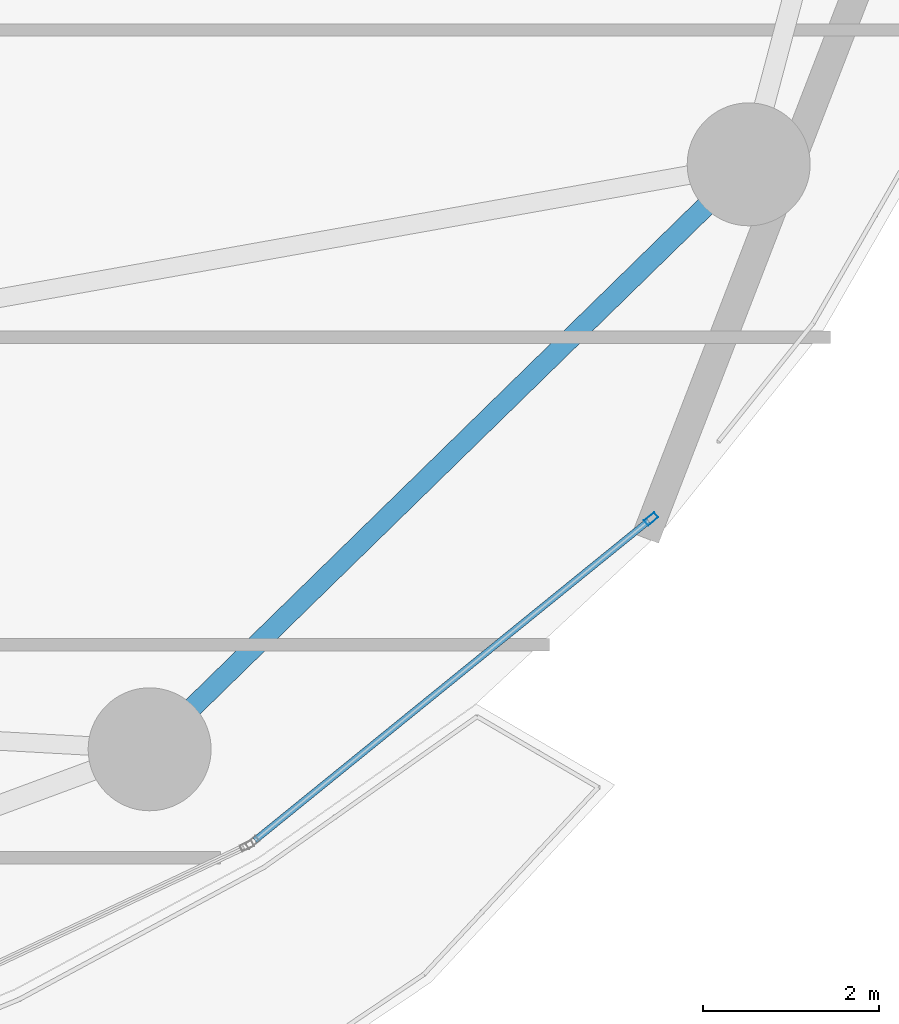
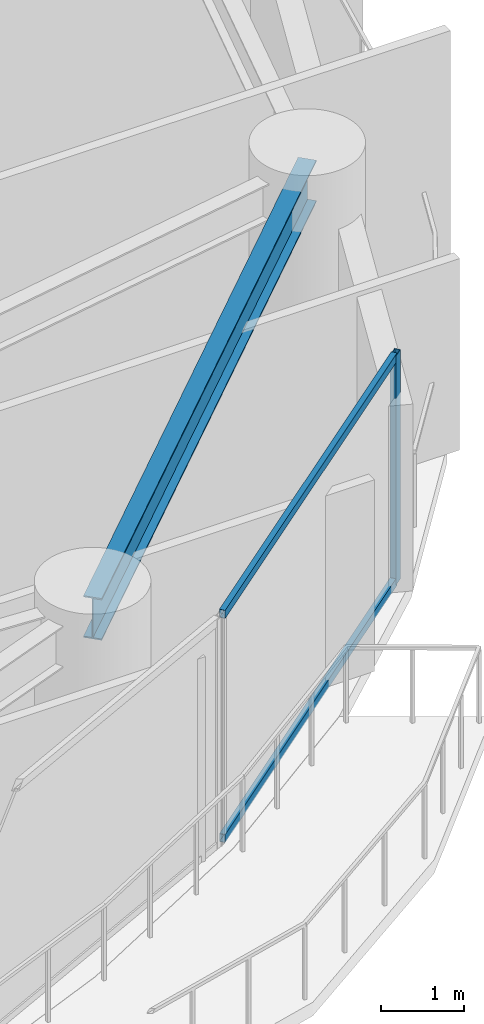
# One storey, part 15 of 32: 3 members, 1 beam, 1 element without a shape of its own.
"""IFC4 building model written with IfcOpenShell, lengths in metres."""

import ifcopenshell
import ifcopenshell.guid

model = None  # the IFC model being written
_history = None  # IfcOwnerHistory: only IFC2X3 demands one
_inside = {}  # id of a spatial element -> (the spatial element, [elements in it])
_under = {}  # id of a project, library or spatial element -> (it, [spatial elements below it])
_declared = {}  # id of a project -> (the project, [libraries it declares])
_typed = {}  # id of a type object -> (the type object, [elements of that type])
_made_of = {}  # id of a material, layer set ... -> (it, [elements and type objects made of it])


def new_model(schema):
    """Start an empty IFC model of exactly this schema.

    Asked for "IFC4X3", IfcOpenShell would pick the latest addendum, in which some entities
    have other attributes; the version numbers below select the first issue.
    IFC2X3 requires an IfcOwnerHistory on every rooted entity: one is made here for all.
    """
    global model, _history
    if schema == "IFC4X3":
        model = ifcopenshell.file(schema_version=(4, 3, 0, 0))
    else:
        model = ifcopenshell.file(schema=schema)
    _inside.clear()
    _under.clear()
    _declared.clear()
    _typed.clear()
    _made_of.clear()
    _history = None
    if model.schema == "IFC2X3":
        org = make("IfcOrganization", Name="unknown")
        user = make(
            "IfcPersonAndOrganization",
            ThePerson=make("IfcPerson", FamilyName="unknown"),
            TheOrganization=org,
        )
        app = make(
            "IfcApplication",
            ApplicationDeveloper=org,
            Version="unknown",
            ApplicationFullName="unknown",
            ApplicationIdentifier="unknown",
        )
        _history = make(
            "IfcOwnerHistory",
            OwningUser=user,
            OwningApplication=app,
            ChangeAction="ADDED",
            CreationDate=0,
        )
    return model


def make(cls, **values):
    """One entity of the class cls with the attributes given. An attribute that is None is left unset."""
    return model.create_entity(
        cls, **{name: value for name, value in values.items() if value is not None}
    )


def rooted(cls, **values):
    """An entity with a GlobalId (a new one), such as an element, a storey or a relation."""
    return make(cls, GlobalId=ifcopenshell.guid.new(), OwnerHistory=_history, **values)


def si_unit(unit_type, name, prefix=None):
    """IfcSIUnit, for example si_unit("LENGTHUNIT", "METRE", prefix="MILLI")."""
    return make("IfcSIUnit", UnitType=unit_type, Prefix=prefix, Name=name)


def assignment(units):
    """IfcUnitAssignment: the units of a project."""
    return None if units is None else make("IfcUnitAssignment", Units=units)


def point(xyz):
    """IfcCartesianPoint."""
    return None if xyz is None else make("IfcCartesianPoint", Coordinates=xyz)


def direction(xyz):
    """IfcDirection."""
    return None if xyz is None else make("IfcDirection", DirectionRatios=xyz)


def frame(location, z_axis=None, x_axis=None):
    """IfcAxis2Placement3D, a coordinate frame: its origin and axes. An axis left out is left unset."""
    return make(
        "IfcAxis2Placement3D",
        Location=point(location),
        Axis=direction(z_axis),
        RefDirection=direction(x_axis),
    )


def frame_2d(location, x_axis=None):
    """IfcAxis2Placement2D, a coordinate frame in the plane: its origin and x axis."""
    return make(
        "IfcAxis2Placement2D", Location=point(location), RefDirection=direction(x_axis)
    )


def origin():
    """The frame at (0, 0, 0) with its axes left unset."""
    return frame((0.0, 0.0, 0.0))


def origin_2d():
    """The frame at (0, 0) in the plane with its x axis left unset."""
    return frame_2d((0.0, 0.0))


def place(relative_to, where):
    """IfcLocalPlacement: puts the frame where relative to a parent placement (None: the world)."""
    return make(
        "IfcLocalPlacement", PlacementRelTo=relative_to, RelativePlacement=where
    )


def context(
    kind, dimensions, precision=None, world=None, true_north=None, identifier=None
):
    """IfcGeometricRepresentationContext, for example the 3D "Model" context."""
    return make(
        "IfcGeometricRepresentationContext",
        ContextIdentifier=identifier,
        ContextType=kind,
        CoordinateSpaceDimension=dimensions,
        Precision=precision,
        WorldCoordinateSystem=world,
        TrueNorth=true_north,
    )


def subcontext(parent, identifier, kind, view, scale=None):
    """IfcGeometricRepresentationSubContext, for example "Body" below "Model"."""
    return make(
        "IfcGeometricRepresentationSubContext",
        ContextIdentifier=identifier,
        ContextType=kind,
        ParentContext=parent,
        TargetScale=scale,
        TargetView=view,
    )


def project(units=None, contexts=None):
    """IfcProject with its units and contexts."""
    return rooted(
        "IfcProject",
        Name="project",
        RepresentationContexts=contexts,
        UnitsInContext=assignment(units),
    )


def spatial(cls, under=None, at=None, **own):
    """A site, building, storey or space (cls), placed at a placement, below another one or the project."""
    s = rooted(cls, ObjectPlacement=at, **own)
    if under is not None:
        _under.setdefault(under.id(), (under, []))[1].append(s)
    return s


def profile(cls, at=None, kind="AREA", **sizes):
    """A parametric profile (cls). Its sizes go by their IFC names, for example OverallWidth=200.0."""
    return make(cls, ProfileType=kind, Position=at, **sizes)


def hollow_rectangle(**sizes):
    """IfcRectangleHollowProfileDef."""
    return profile("IfcRectangleHollowProfileDef", **sizes)


def i_section(**sizes):
    """IfcIShapeProfileDef."""
    return profile("IfcIShapeProfileDef", **sizes)


def extrude(swept, where, along, depth):
    """IfcExtrudedAreaSolid: the profile swept, set in the frame where, extruded along a direction by depth."""
    return make(
        "IfcExtrudedAreaSolid",
        SweptArea=swept,
        Position=where,
        ExtrudedDirection=direction(along),
        Depth=depth,
    )


def shape(context_of_items, identifier, shape_type, items):
    """IfcShapeRepresentation: the items that make up one representation, for example the "Body"."""
    return make(
        "IfcShapeRepresentation",
        ContextOfItems=context_of_items,
        RepresentationIdentifier=identifier,
        RepresentationType=shape_type,
        Items=items,
    )


def material(Name=None, Category=None):
    """IfcMaterial."""
    return make("IfcMaterial", Name=Name, Category=Category)


def layer(
    of_material, thickness, ventilated=None, Name=None, Category=None, Priority=None
):
    """IfcMaterialLayer: one layer of a wall or slab, of a material (None: an air gap)."""
    return make(
        "IfcMaterialLayer",
        Material=of_material,
        LayerThickness=thickness,
        IsVentilated=ventilated,
        Name=Name,
        Category=Category,
        Priority=Priority,
    )


def layer_set(layers, Name=None):
    """IfcMaterialLayerSet."""
    return make("IfcMaterialLayerSet", MaterialLayers=layers, LayerSetName=Name)


def material_profile(
    of_material, cross_section, Name=None, Category=None, Priority=None
):
    """IfcMaterialProfile: a cross section and its material."""
    return make(
        "IfcMaterialProfile",
        Name=Name,
        Material=of_material,
        Profile=cross_section,
        Priority=Priority,
        Category=Category,
    )


def profile_set(profiles, Name=None, composite=None):
    """IfcMaterialProfileSet."""
    return make(
        "IfcMaterialProfileSet",
        Name=Name,
        MaterialProfiles=profiles,
        CompositeProfile=composite,
    )


def made_of(thing, what):
    """Note that an element or type object is made of a material, layer set ...; save() writes the relation."""
    if what is not None:
        _made_of.setdefault(what.id(), (what, []))[1].append(thing)
    return thing


def type_object(cls, material=None, **own):
    """A type object (cls), such as IfcWallType, which elements share."""
    return made_of(rooted(cls, **own), material)


def element(
    cls,
    number,
    at=None,
    inside=None,
    cuts=None,
    type_object=None,
    material=None,
    context=None,
    identifier="Body",
    shape_type=None,
    held_by="IfcProductDefinitionShape",
    body=None,
    shapes=None,
    **own,
):
    """One element of the class cls, such as IfcWall. Its Tag is "e" and its number.

    at: its placement. inside: the storey or other place that contains it. cuts: it is an
    opening in that element (IfcRelVoidsElement). A single representation is given by context,
    identifier, shape_type and body (its items); several are given by shapes. held_by: the class
    of the entity that holds the representations. save() writes the other relations.
    """
    e = rooted(cls, Tag="e%d" % number, ObjectPlacement=at, **own)
    if body is not None:
        shapes = [shape(context, identifier, shape_type, body)]
    if shapes is not None:
        e.Representation = make(held_by, Representations=shapes)
    if inside is not None:
        _inside.setdefault(inside.id(), (inside, []))[1].append(e)
    if cuts is not None:
        rooted(
            "IfcRelVoidsElement", RelatingBuildingElement=cuts, RelatedOpeningElement=e
        )
    if type_object is not None:
        _typed.setdefault(type_object.id(), (type_object, []))[1].append(e)
    return made_of(e, material)


def aggregate(whole, parts):
    """IfcRelAggregates: a whole, such as a stair, and the parts it consists of."""
    return rooted("IfcRelAggregates", RelatingObject=whole, RelatedObjects=parts)


def save(model, path):
    """Write the relations noted so far, then the file.

    IfcRelAggregates (storeys below a building ...), IfcRelContainedInSpatialStructure (elements
    in a storey), IfcRelDefinesByType, IfcRelAssociatesMaterial and IfcRelDeclares: one each for
    every whole, place, type object, material and project.
    """
    for whole, parts in _under.values():
        aggregate(whole, parts)
    for where, things in _inside.values():
        rooted(
            "IfcRelContainedInSpatialStructure",
            RelatedElements=things,
            RelatingStructure=where,
        )
    for kind, things in _typed.values():
        rooted("IfcRelDefinesByType", RelatedObjects=things, RelatingType=kind)
    for what, things in _made_of.values():
        rooted("IfcRelAssociatesMaterial", RelatedObjects=things, RelatingMaterial=what)
    for by, libraries in _declared.values():
        rooted("IfcRelDeclares", RelatingContext=by, RelatedDefinitions=libraries)
    model.write(path)


model = new_model("IFC4")

# Units and contexts
model_context = context("Model", 3, precision=1e-05, world=origin(), true_north=direction((0.0, 1.0)))
body_context = subcontext(model_context, "Body", "Model", "MODEL_VIEW")
ifc_project = project(units=[si_unit("LENGTHUNIT", "METRE"), si_unit("AREAUNIT", "SQUARE_METRE"), si_unit("VOLUMEUNIT", "CUBIC_METRE"), si_unit("PLANEANGLEUNIT", "RADIAN"), si_unit("MASSUNIT", "GRAM", prefix="KILO")], contexts=[model_context])

# Site, building, storey
site_placement = place(None, origin())
site = spatial("IfcSite", under=ifc_project, at=site_placement, CompositionType="ELEMENT")
building_placement = place(site_placement, origin())
building = spatial("IfcBuilding", under=site, at=building_placement, Name="Kazevale Care Tower and Concert Hall", CompositionType="ELEMENT")
storey_placement = place(building_placement, frame((0.0, 0.0, 85.199951171875)))
storey = spatial("IfcBuildingStorey", under=building, at=storey_placement, Name="L22", CompositionType="ELEMENT", Elevation=85.199951171875)

# Curtain wall, members
ifc_material_1 = material(Name="Aluminium 6063-T6 and Low-E Glass", Category="aluminium")
ifc_layer = layer(ifc_material_1, 0.179931640625)
ifc_layer_set = layer_set([ifc_layer], Name="Aluminium 6063-T6 and Low-E Glass")
curtain_wall_type = type_object("IfcCurtainWallType", Name="Sheltered Concave Balcony Curtain Wall CW-5", PredefinedType="NOTDEFINED", material=ifc_layer_set)
curtain_wall_placement = place(storey_placement, origin())
curtain_wall = element("IfcCurtainWall", 1, at=curtain_wall_placement, inside=storey, type_object=curtain_wall_type, Name="cw:L22:f02", PredefinedType="NOTDEFINED")
ifc_material_2 = material(Name="Aluminium 6063-T6", Category="aluminium")
ifc_material_profile_1 = material_profile(ifc_material_2, hollow_rectangle(XDim=0.074951171875, YDim=0.14990234375, WallThickness=0.00390625, at=origin_2d()), Name="ALU75x150x4")
ifc_profile_set_1 = profile_set([ifc_material_profile_1], Name="Aluminium 6063-T6")
member_type_1 = type_object("IfcMemberType", Name="CW-5 Mullion ALU75x150x4", PredefinedType="MULLION", material=ifc_profile_set_1)
member_1_placement = place(storey_placement, frame((72.949951171875, 24.933349609375, 0.0), z_axis=(0.0, 0.0, 1.0), x_axis=(0.629994732952, -0.77659940539, 0.0)))
member_1 = element("IfcMember", 2, at=member_1_placement, type_object=member_type_1, Name="CW-5 mullion 1", PredefinedType="MULLION", context=body_context, shape_type="SweptSolid", body=[
    extrude(hollow_rectangle(XDim=0.074951171875, YDim=0.14990234375, WallThickness=0.00390625, at=origin_2d()), origin(), (0.0, 0.0, 1.0), 3.360107421875),
])
ifc_material_profile_2 = material_profile(ifc_material_2, hollow_rectangle(XDim=0.074951171875, YDim=0.1201171875, WallThickness=0.00390625, at=origin_2d()), Name="ALU75x120x4")
ifc_profile_set_2 = profile_set([ifc_material_profile_2], Name="Aluminium 6063-T6")
member_type_2 = type_object("IfcMemberType", Name="CW-5 Transom ALU75x120x4", PredefinedType="USERDEFINED", material=ifc_profile_set_2)
member_2_placement = place(storey_placement, frame((72.920654296875, 24.90966796875, 0.03759765625), z_axis=(-0.77659518273, -0.629999938223, 0.0), x_axis=(0.629999938223, -0.77659518273, 0.0)))
member_2 = element("IfcMember", 3, at=member_2_placement, type_object=member_type_2, Name="CW-5 transom 1.1", ObjectType="TRANSOM", PredefinedType="USERDEFINED", context=body_context, shape_type="SweptSolid", body=[
    extrude(hollow_rectangle(XDim=0.074951171875, YDim=0.1201171875, WallThickness=0.00390625, at=origin_2d()), origin(), (0.0, 0.0, 1.0), 5.770751953125),
])
member_3_placement = place(storey_placement, frame((72.920654296875, 24.90966796875, 3.322509765625), z_axis=(-0.77659518273, -0.629999938223, 0.0), x_axis=(0.629999938223, -0.77659518273, 0.0)))
member_3 = element("IfcMember", 4, at=member_3_placement, type_object=member_type_2, Name="CW-5 transom 1.2", ObjectType="TRANSOM", PredefinedType="USERDEFINED", context=body_context, shape_type="SweptSolid", body=[
    extrude(hollow_rectangle(XDim=0.074951171875, YDim=0.1201171875, WallThickness=0.00390625, at=origin_2d()), origin(), (0.0, 0.0, 1.0), 5.770751953125),
])
aggregate(curtain_wall, [member_1, member_2, member_3])

# Beam
ifc_material_3 = material(Name="Steel ASTM A572 Gr 50", Category="steel")
ifc_material_profile_3 = material_profile(ifc_material_3, i_section(OverallWidth=0.22900390625, OverallDepth=0.612060546875, WebThickness=0.011962890625, FlangeThickness=0.01953125, at=origin_2d()), Name="W610x125")
ifc_profile_set_3 = profile_set([ifc_material_profile_3], Name="Steel ASTM A572 Gr 50")
beam_type = type_object("IfcBeamType", Name="Ring Spandrel Beam W610x125", PredefinedType="SPANDREL", material=ifc_profile_set_3)
beam_placement = place(storey_placement, frame((67.239990234375, 22.31005859375, 3.053955078125), z_axis=(0.715457453508, 0.698656304788, 0.0), x_axis=(-0.698656304788, 0.715457453508, 0.0)))
element("IfcBeam", 5, at=beam_placement, inside=storey, type_object=beam_type, Name="beam:L22:ring:15", PredefinedType="SPANDREL", context=body_context, shape_type="SweptSolid", body=[
    extrude(i_section(OverallWidth=0.22900390625, OverallDepth=0.612060546875, WebThickness=0.011962890625, FlangeThickness=0.01953125, at=origin_2d()), origin(), (0.0, 0.0, 1.0), 9.532470703125),
])

save(model, "model.ifc")
